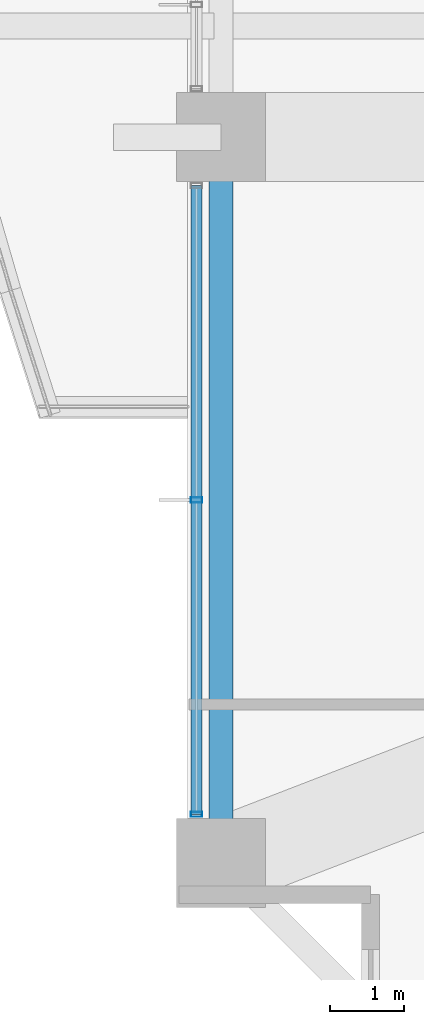
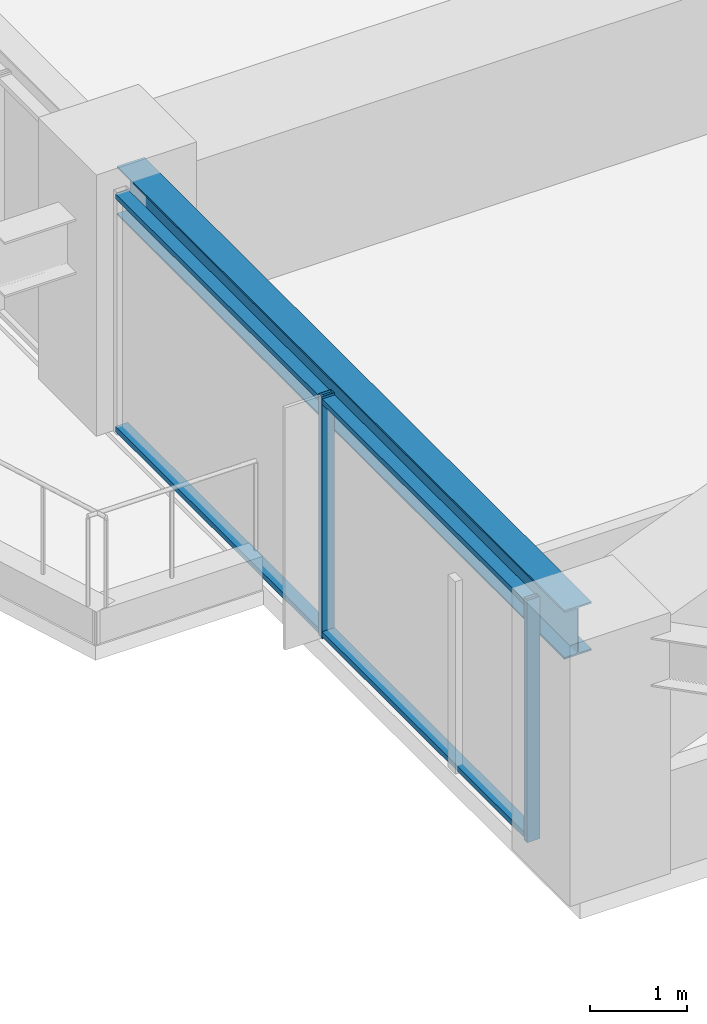
# One storey, part 3 of 39: 4 members, 1 beam, 1 element without a shape of its own.
"""IFC4 building model written with IfcOpenShell, lengths in metres."""

from ifc_helpers import new_model, si_unit, direction, frame, origin, origin_2d, place, context, subcontext, project, spatial, hollow_rectangle, i_section, extrude, material, material_profile, profile_set, type_object, element, aggregate, save


model = new_model("IFC4")

# Units and contexts
model_context = context("Model", 3, precision=1e-05, world=origin(), true_north=direction((0.0, 1.0)))
body_context = subcontext(model_context, "Body", "Model", "MODEL_VIEW")
ifc_project = project(units=[si_unit("LENGTHUNIT", "METRE"), si_unit("AREAUNIT", "SQUARE_METRE"), si_unit("VOLUMEUNIT", "CUBIC_METRE"), si_unit("PLANEANGLEUNIT", "RADIAN"), si_unit("MASSUNIT", "GRAM", prefix="KILO")], contexts=[model_context])

# Site, building, storey
site_placement = place(None, origin())
site = spatial("IfcSite", under=ifc_project, at=site_placement, CompositionType="ELEMENT")
building_placement = place(site_placement, origin())
building = spatial("IfcBuilding", under=site, at=building_placement, Name="Kolvaren Belvedere", CompositionType="ELEMENT")
storey_placement = place(building_placement, frame((0.0, 0.0, 40.300048828125)))
storey = spatial("IfcBuildingStorey", under=building, at=storey_placement, Name="L11", CompositionType="ELEMENT", Elevation=40.300048828125)

# Beam
ifc_material_1 = material(Name="Structural steel ASTM A992 Grade 50", Category="steel")
ifc_material_profile_1 = material_profile(ifc_material_1, i_section(OverallWidth=0.324951171875, OverallDepth=0.615966796875, WebThickness=0.013916015625, FlangeThickness=0.021484375, FilletRadius=0.02001953125, at=origin_2d()), Name="W24X117")
ifc_profile_set_1 = profile_set([ifc_material_profile_1], Name="Structural steel ASTM A992 Grade 50")
beam_type = type_object("IfcBeamType", Name="BM-SPAN-W24X117", PredefinedType="SPANDREL", material=ifc_profile_set_1)
beam_placement = place(storey_placement, frame((-21.550048828125, -4.8701171875, 2.751953125), z_axis=(0.0, -1.0, 0.0), x_axis=(1.0, 0.0, 0.0)))
element("IfcBeam", 1, at=beam_placement, inside=storey, type_object=beam_type, Name="L11 Perimeter Spandrel W2-W1", PredefinedType="SPANDREL", context=body_context, shape_type="SweptSolid", body=[
    extrude(i_section(OverallWidth=0.324951171875, OverallDepth=0.615966796875, WebThickness=0.013916015625, FlangeThickness=0.021484375, FilletRadius=0.02001953125, at=origin_2d()), origin(), (0.0, 0.0, 1.0), 9.259765625),
])

# Curtain wall, members
ifc_material_2 = material(Name="Anodised pale-metal aluminium AA 6063-T6", Category="aluminium")
curtain_wall_type = type_object("IfcCurtainWallType", Name="CW-Z1-LOW", PredefinedType="NOTDEFINED", material=ifc_material_2)
curtain_wall_placement = place(storey_placement, origin())
curtain_wall = element("IfcCurtainWall", 2, at=curtain_wall_placement, inside=storey, type_object=curtain_wall_type, Name="L11 Unitised Curtain Wall FCW-L11-W1-B1", PredefinedType="NOTDEFINED")
ifc_material_3 = material(Name="Anodised pale-metal aluminium AA 6063-T6", Category="aluminium")
ifc_material_profile_2 = material_profile(ifc_material_3, hollow_rectangle(XDim=0.070068359375, YDim=0.14990234375, WallThickness=0.004150390625, at=origin_2d()), Name="ALU-MUL-150X70")
ifc_profile_set_2 = profile_set([ifc_material_profile_2], Name="Anodised pale-metal aluminium AA 6063-T6")
member_type_1 = type_object("IfcMemberType", Name="CW-MUL-150", PredefinedType="MULLION", material=ifc_profile_set_2)
member_1_placement = place(storey_placement, frame((-21.8798828125, -13.7451171875, 0.0), z_axis=(0.0, 0.0, 1.0), x_axis=(0.0, 1.0, 0.0)))
member_1 = element("IfcMember", 3, at=member_1_placement, type_object=member_type_1, Name="FCW-L11-W1-B1 Unitised Mullion 1", PredefinedType="MULLION", context=body_context, shape_type="SweptSolid", body=[
    extrude(hollow_rectangle(XDim=0.070068359375, YDim=0.14990234375, WallThickness=0.004150390625, at=origin_2d()), origin(), (0.0, 0.0, 1.0), 3.06005859375),
])
member_2_placement = place(storey_placement, frame((-21.8798828125, -9.5, 0.0), z_axis=(0.0, 0.0, 1.0), x_axis=(0.0, 1.0, 0.0)))
member_2 = element("IfcMember", 4, at=member_2_placement, type_object=member_type_1, Name="FCW-L11-W1-B1 Unitised Mullion 2", PredefinedType="MULLION", context=body_context, shape_type="SweptSolid", body=[
    extrude(hollow_rectangle(XDim=0.070068359375, YDim=0.14990234375, WallThickness=0.004150390625, at=origin_2d()), origin(), (0.0, 0.0, 1.0), 3.06005859375),
])
ifc_material_4 = material(Name="Anodised pale-metal aluminium AA 6063-T6", Category="aluminium")
ifc_material_profile_3 = material_profile(ifc_material_4, hollow_rectangle(XDim=0.06494140625, YDim=0.14990234375, WallThickness=0.00390625, at=origin_2d()), Name="ALU-TRN-150X65")
ifc_profile_set_3 = profile_set([ifc_material_profile_3], Name="Anodised pale-metal aluminium AA 6063-T6")
member_type_2 = type_object("IfcMemberType", Name="CW-TRN-150", PredefinedType="USERDEFINED", material=ifc_profile_set_3)
member_3_placement = place(storey_placement, frame((-21.8798828125, -13.7451171875, 0.06005859375), z_axis=(0.0, 1.0, 0.0), x_axis=(0.0, 0.0, 1.0)))
member_3 = element("IfcMember", 5, at=member_3_placement, type_object=member_type_2, Name="FCW-L11-W1-B1 Sill Transom", ObjectType="TRANSOM", PredefinedType="USERDEFINED", context=body_context, shape_type="SweptSolid", body=[
    extrude(hollow_rectangle(XDim=0.06494140625, YDim=0.14990234375, WallThickness=0.00390625, at=origin_2d()), origin(), (0.0, 0.0, 1.0), 8.490234375),
])
member_4_placement = place(storey_placement, frame((-21.8798828125, -13.7451171875, 3.0), z_axis=(0.0, 1.0, 0.0), x_axis=(0.0, 0.0, 1.0)))
member_4 = element("IfcMember", 6, at=member_4_placement, type_object=member_type_2, Name="FCW-L11-W1-B1 Head Transom", ObjectType="TRANSOM", PredefinedType="USERDEFINED", context=body_context, shape_type="SweptSolid", body=[
    extrude(hollow_rectangle(XDim=0.06494140625, YDim=0.14990234375, WallThickness=0.00390625, at=origin_2d()), origin(), (0.0, 0.0, 1.0), 8.490234375),
])
aggregate(curtain_wall, [member_1, member_2, member_3, member_4])

save(model, "model.ifc")
